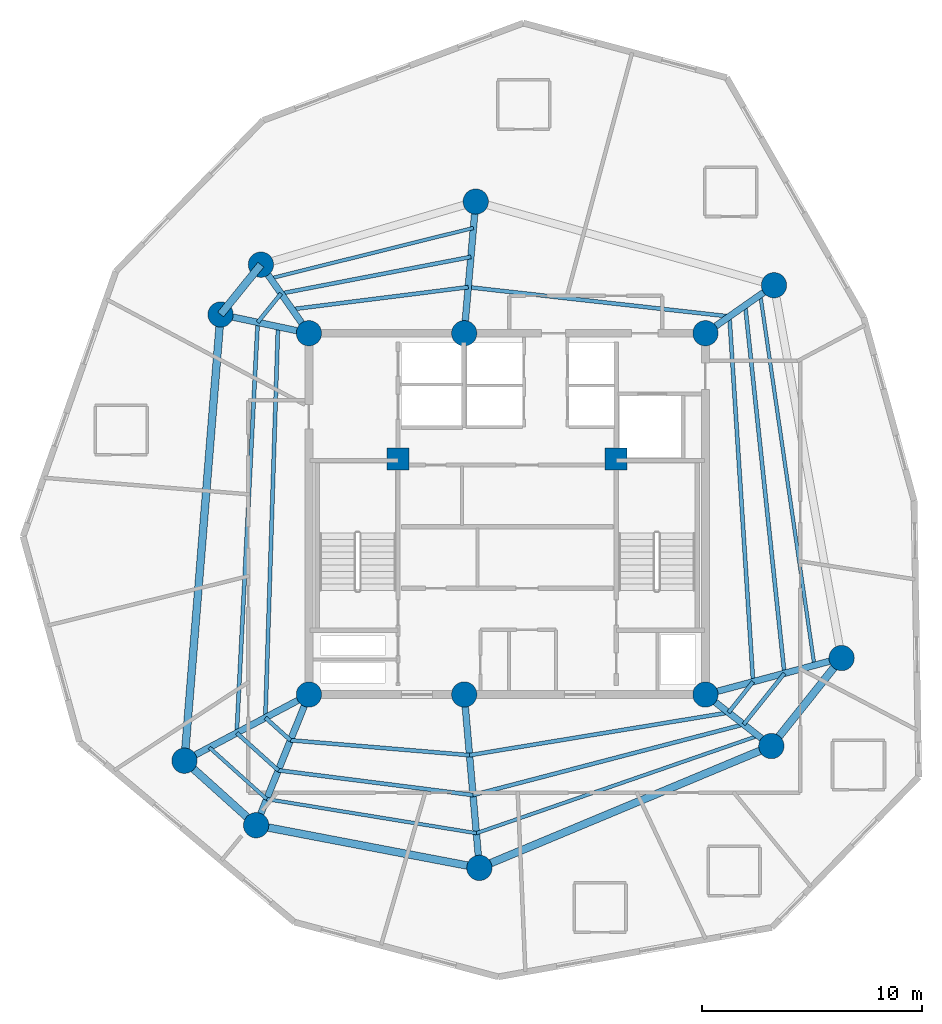
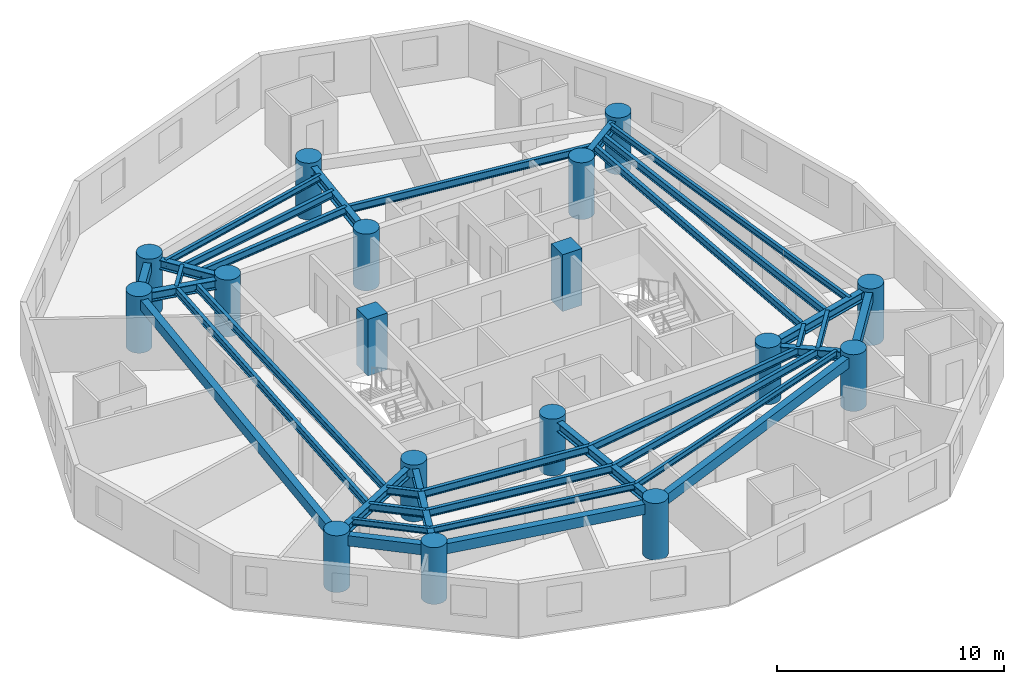
# One storey, part 1 of 7: 36 beams, 17 columns.
"""IFC4 building model written with IfcOpenShell, lengths in metres."""

from ifc_helpers import new_model, si_unit, direction, frame, origin, origin_with_axes, origin_2d, place, context, subcontext, project, spatial, rectangle, circle, i_section, extrude, source, transform, mapped, material, material_profile, profile_set, type_object, element, save


model = new_model("IFC4")

# Units and contexts
model_context = context("Model", 3, precision=1e-05, world=origin(), true_north=direction((0.0, 1.0)))
body_context = subcontext(model_context, "Body", "Model", "MODEL_VIEW")
ifc_project = project(units=[si_unit("LENGTHUNIT", "METRE"), si_unit("AREAUNIT", "SQUARE_METRE"), si_unit("VOLUMEUNIT", "CUBIC_METRE"), si_unit("PLANEANGLEUNIT", "RADIAN"), si_unit("MASSUNIT", "GRAM", prefix="KILO")], contexts=[model_context])

# Site, building, storey
site_placement = place(None, origin())
site = spatial("IfcSite", under=ifc_project, at=site_placement, CompositionType="ELEMENT")
building_placement = place(site_placement, origin())
building = spatial("IfcBuilding", under=site, at=building_placement, Name="Karkom Vertical University and Central Library", CompositionType="ELEMENT")
storey_placement = place(building_placement, frame((0.0, 0.0, 226.050048828125)))
storey = spatial("IfcBuildingStorey", under=building, at=storey_placement, Name="L66", CompositionType="ELEMENT", Elevation=226.050048828125)

# Columns
ifc_material_1 = material(Name="Concrete C50/60", Category="concrete")
ifc_material_profile_1 = material_profile(ifc_material_1, rectangle(XDim=1.0, YDim=1.0, at=origin_2d()), Name="RC-1000x1000")
ifc_profile_set_1 = profile_set([ifc_material_profile_1], Name="Concrete C50/60")
column_type_1 = type_object("IfcColumnType", Name="STR-COL-C-CC2", PredefinedType="COLUMN", material=ifc_profile_set_1)
shared_shape_1 = source(origin_with_axes(), body_context, "Body", "SweptSolid", [
    extrude(rectangle(XDim=1.0, YDim=1.0, at=origin_2d()), origin(), (0.0, 0.0, 1.0), 3.050048828125),
])
for number, where, z_axis, x_axis, name in (
    (1, (23.550048828125, 29.0, 0.0), (0.0, 0.0, 1.0), (1.0, 0.0, 0.0), "Level 66 Core Node Column CC-1"),
    (2, (33.449951171875, 29.0, 0.0), (0.0, 0.0, 1.0), (1.0, 0.0, 0.0), "Level 66 Core Node Column CC-2"),
):
    element("IfcColumn", number, at=place(storey_placement, frame(where, z_axis=z_axis, x_axis=x_axis)), inside=storey, type_object=column_type_1, Name=name, PredefinedType="COLUMN", context=body_context, shape_type="MappedRepresentation", body=[
        mapped(shared_shape_1, transform((0.0, 0.0, 0.0), scale=1.0)),
    ])
ifc_material_2 = material(Name="Concrete C45/55", Category="concrete")
ifc_material_profile_2 = material_profile(ifc_material_2, circle(Radius=0.574951171875, at=origin_2d()), Name="CFT-D1150")
ifc_profile_set_2 = profile_set([ifc_material_profile_2], Name="Concrete C45/55")
column_type_2 = type_object("IfcColumnType", Name="STR-COL-C-SC5", PredefinedType="COLUMN", material=ifc_profile_set_2)
shared_shape_2 = source(origin_with_axes(), body_context, "Body", "SweptSolid", [
    extrude(circle(Radius=0.574951171875, at=origin_2d()), origin(), (0.0, 0.0, 1.0), 3.050048828125),
])
for number, where, z_axis, x_axis, name in (
    (3, (19.5, 18.300048828125, 0.0), (0.0, 0.0, 1.0), (1.0, 0.0, 0.0), "Level 66 Spine Mega-Column SC-1"),
    (4, (26.550048828125, 18.300048828125, 0.0), (0.0, 0.0, 1.0), (1.0, 0.0, 0.0), "Level 66 Spine Mega-Column SC-2"),
    (5, (37.5, 18.300048828125, 0.0), (0.0, 0.0, 1.0), (1.0, 0.0, 0.0), "Level 66 Spine Mega-Column SC-3"),
    (6, (19.5, 34.699951171875, 0.0), (0.0, 0.0, 1.0), (1.0, 0.0, 0.0), "Level 66 Spine Mega-Column SC-4"),
    (7, (26.550048828125, 34.699951171875, 0.0), (0.0, 0.0, 1.0), (1.0, 0.0, 0.0), "Level 66 Spine Mega-Column SC-5"),
    (8, (37.5, 34.699951171875, 0.0), (0.0, 0.0, 1.0), (1.0, 0.0, 0.0), "Level 66 Spine Mega-Column SC-6"),
    (9, (43.681884765625, 19.9560546875, 0.0), (0.0, 0.0, 1.0), (1.0, 0.0, 0.0), "Level 66 Perimeter Mega-Column Z4-PC1"),
    (10, (40.613037109375, 36.8798828125, 0.0), (0.0, 0.0, 1.0), (1.0, 0.0, 0.0), "Level 66 Perimeter Mega-Column Z4-PC2"),
    (11, (27.072998046875, 40.677001953125, 0.0), (0.0, 0.0, 1.0), (1.0, 0.0, 0.0), "Level 66 Perimeter Mega-Column Z4-PC3"),
    (12, (17.320068359375, 37.81298828125, 0.0), (0.0, 0.0, 1.0), (1.0, 0.0, 0.0), "Level 66 Perimeter Mega-Column Z4-PC4"),
    (13, (15.489990234375, 35.552001953125, 0.0), (0.0, 0.0, 1.0), (1.0, 0.0, 0.0), "Level 66 Perimeter Mega-Column Z4-PC5"),
    (14, (13.84912109375, 15.294921875, 0.0), (0.0, 0.0, 1.0), (1.0, 0.0, 0.0), "Level 66 Perimeter Mega-Column Z4-PC6"),
    (15, (17.10302734375, 12.365966796875, 0.0), (0.0, 0.0, 1.0), (1.0, 0.0, 0.0), "Level 66 Perimeter Mega-Column Z4-PC7"),
    (16, (27.239013671875, 10.429931640625, 0.0), (0.0, 0.0, 1.0), (1.0, 0.0, 0.0), "Level 66 Perimeter Mega-Column Z4-PC8"),
    (17, (40.493896484375, 15.9599609375, 0.0), (0.0, 0.0, 1.0), (1.0, 0.0, 0.0), "Level 66 Perimeter Mega-Column Z4-PC9"),
):
    element("IfcColumn", number, at=place(storey_placement, frame(where, z_axis=z_axis, x_axis=x_axis)), inside=storey, type_object=column_type_2, Name=name, PredefinedType="COLUMN", context=body_context, shape_type="MappedRepresentation", body=[
        mapped(shared_shape_2, transform((0.0, 0.0, 0.0), scale=1.0)),
    ])

# Beams
ifc_material_3 = material(Name="Precast concrete C45/55", Category="concrete")
ifc_material_profile_3 = material_profile(ifc_material_3, rectangle(XDim=0.35009765625, YDim=0.550048828125, at=origin_2d()), Name="SPB-350x550")
ifc_profile_set_3 = profile_set([ifc_material_profile_3], Name="Precast concrete C45/55")
beam_type_1 = type_object("IfcBeamType", Name="STR-BM-SP-2", PredefinedType="SPANDREL", material=ifc_profile_set_3)
shared_shape_3 = source(origin_with_axes(), body_context, "Body", "SweptSolid", [
    extrude(rectangle(XDim=0.35009765625, YDim=0.550048828125, at=origin_2d()), origin(), (0.0, 0.0, 1.0), 2.908935546875),
])
beam_1_placement = place(storey_placement, frame((17.320068359375, 37.81298828125, 2.574951171875), z_axis=(-0.629147523747, -0.777285914811, 0.0), x_axis=(0.777285914811, -0.629147523747, 0.0)))
element("IfcBeam", 18, at=beam_1_placement, inside=storey, type_object=beam_type_1, Name="Level 66 Perimeter Spandrel Beam 04", PredefinedType="SPANDREL", context=body_context, shape_type="MappedRepresentation", body=[
    mapped(shared_shape_3, transform((0.0, 0.0, 0.0), scale=1.0)),
])
shared_shape_4 = source(origin_with_axes(), body_context, "Body", "SweptSolid", [
    extrude(rectangle(XDim=0.35009765625, YDim=0.550048828125, at=origin_2d()), origin(), (0.0, 0.0, 1.0), 20.323486328125),
])
beam_2_placement = place(storey_placement, frame((15.489990234375, 35.552001953125, 2.574951171875), z_axis=(-0.080737811681, -0.996735373991, 0.0), x_axis=(0.996735373991, -0.080737811681, 0.0)))
element("IfcBeam", 19, at=beam_2_placement, inside=storey, type_object=beam_type_1, Name="Level 66 Perimeter Spandrel Beam 05", PredefinedType="SPANDREL", context=body_context, shape_type="MappedRepresentation", body=[
    mapped(shared_shape_4, transform((0.0, 0.0, 0.0), scale=1.0)),
])
shared_shape_5 = source(origin_with_axes(), body_context, "Body", "SweptSolid", [
    extrude(rectangle(XDim=0.35009765625, YDim=0.550048828125, at=origin_2d()), origin(), (0.0, 0.0, 1.0), 4.3779296875),
])
beam_3_placement = place(storey_placement, frame((13.84912109375, 15.294921875, 2.574951171875), z_axis=(0.743244232405, -0.669020187287, 0.0), x_axis=(0.669020187287, 0.743244232405, 0.0)))
element("IfcBeam", 20, at=beam_3_placement, inside=storey, type_object=beam_type_1, Name="Level 66 Perimeter Spandrel Beam 06", PredefinedType="SPANDREL", context=body_context, shape_type="MappedRepresentation", body=[
    mapped(shared_shape_5, transform((0.0, 0.0, 0.0), scale=1.0)),
])
shared_shape_6 = source(origin_with_axes(), body_context, "Body", "SweptSolid", [
    extrude(rectangle(XDim=0.35009765625, YDim=0.550048828125, at=origin_2d()), origin(), (0.0, 0.0, 1.0), 10.3193359375),
])
beam_4_placement = place(storey_placement, frame((17.10302734375, 12.365966796875, 2.574951171875), z_axis=(0.982242767385, -0.187614354249, 0.0), x_axis=(0.187614354249, 0.982242767385, 0.0)))
element("IfcBeam", 21, at=beam_4_placement, inside=storey, type_object=beam_type_1, Name="Level 66 Perimeter Spandrel Beam 07", PredefinedType="SPANDREL", context=body_context, shape_type="MappedRepresentation", body=[
    mapped(shared_shape_6, transform((0.0, 0.0, 0.0), scale=1.0)),
])
shared_shape_7 = source(origin_with_axes(), body_context, "Body", "SweptSolid", [
    extrude(rectangle(XDim=0.35009765625, YDim=0.550048828125, at=origin_2d()), origin(), (0.0, 0.0, 1.0), 14.3623046875),
])
beam_5_placement = place(storey_placement, frame((27.239013671875, 10.429931640625, 2.574951171875), z_axis=(0.922899796194, 0.385040213725, 0.0), x_axis=(-0.385040213725, 0.922899796194, 0.0)))
element("IfcBeam", 22, at=beam_5_placement, inside=storey, type_object=beam_type_1, Name="Level 66 Perimeter Spandrel Beam 08", PredefinedType="SPANDREL", context=body_context, shape_type="MappedRepresentation", body=[
    mapped(shared_shape_7, transform((0.0, 0.0, 0.0), scale=1.0)),
])
shared_shape_8 = source(origin_with_axes(), body_context, "Body", "SweptSolid", [
    extrude(rectangle(XDim=0.35009765625, YDim=0.550048828125, at=origin_2d()), origin(), (0.0, 0.0, 1.0), 5.112060546875),
])
beam_6_placement = place(storey_placement, frame((40.493896484375, 15.9599609375, 2.574951171875), z_axis=(0.623634459503, 0.78171609995, 0.0), x_axis=(-0.78171609995, 0.623634459503, 0.0)))
element("IfcBeam", 23, at=beam_6_placement, inside=storey, type_object=beam_type_1, Name="Level 66 Perimeter Spandrel Beam 09", PredefinedType="SPANDREL", context=body_context, shape_type="MappedRepresentation", body=[
    mapped(shared_shape_8, transform((0.0, 0.0, 0.0), scale=1.0)),
])
ifc_material_4 = material(Name="Steel S355", Category="steel")
ifc_material_profile_4 = material_profile(ifc_material_4, i_section(OverallWidth=0.179931640625, OverallDepth=0.39990234375, WebThickness=0.008544921875, FlangeThickness=0.013427734375, FilletRadius=0.02099609375, at=origin_2d()), Name="IPE 400")
ifc_profile_set_4 = profile_set([ifc_material_profile_4], Name="Steel S355")
beam_type_2 = type_object("IfcBeamType", Name="STR-BM-SB-IPE400", PredefinedType="BEAM", material=ifc_profile_set_4)
shared_shape_9 = source(origin_with_axes(), body_context, "Body", "SweptSolid", [
    extrude(i_section(OverallWidth=0.179931640625, OverallDepth=0.39990234375, WebThickness=0.008544921875, FlangeThickness=0.013427734375, FilletRadius=0.02099609375, at=origin_2d()), origin(), (0.0, 0.0, 1.0), 16.617919921875),
])
beam_7_placement = place(storey_placement, frame((39.663818359375, 18.879638671875, 2.64990234375), z_axis=(-0.064641848008, 0.997908528617, 0.0), x_axis=(-0.997908528617, -0.064641848008, 0.0)))
element("IfcBeam", 24, at=beam_7_placement, inside=storey, type_object=beam_type_2, Name="Level 66 Secondary Composite Floor Beam 1.01", PredefinedType="BEAM", context=body_context, shape_type="MappedRepresentation", body=[
    mapped(shared_shape_9, transform((0.0, 0.0, 0.0), scale=1.0)),
])
shared_shape_10 = source(origin_with_axes(), body_context, "Body", "SweptSolid", [
    extrude(i_section(OverallWidth=0.179931640625, OverallDepth=0.39990234375, WebThickness=0.008544921875, FlangeThickness=0.013427734375, FilletRadius=0.02099609375, at=origin_2d()), origin(), (0.0, 0.0, 1.0), 11.9306640625),
])
beam_8_placement = place(storey_placement, frame((38.589599609375, 35.462890625, 2.64990234375), z_axis=(-0.993775454886, 0.11140172919, 0.0), x_axis=(-0.11140172919, -0.993775454886, 0.0)))
element("IfcBeam", 25, at=beam_8_placement, inside=storey, type_object=beam_type_2, Name="Level 66 Secondary Composite Floor Beam 1.02", PredefinedType="BEAM", context=body_context, shape_type="MappedRepresentation", body=[
    mapped(shared_shape_10, transform((0.0, 0.0, 0.0), scale=1.0)),
])
shared_shape_11 = source(origin_with_axes(), body_context, "Body", "SweptSolid", [
    extrude(i_section(OverallWidth=0.179931640625, OverallDepth=0.39990234375, WebThickness=0.008544921875, FlangeThickness=0.013427734375, FilletRadius=0.02099609375, at=origin_2d()), origin(), (0.0, 0.0, 1.0), 8.05859375),
])
beam_9_placement = place(storey_placement, frame((26.733154296875, 36.7919921875, 2.64990234375), z_axis=(-0.99223306826, -0.124392677646, 0.0), x_axis=(0.124392677646, -0.99223306826, 0.0)))
element("IfcBeam", 26, at=beam_9_placement, inside=storey, type_object=beam_type_2, Name="Level 66 Secondary Composite Floor Beam 1.03", PredefinedType="BEAM", context=body_context, shape_type="MappedRepresentation", body=[
    mapped(shared_shape_11, transform((0.0, 0.0, 0.0), scale=1.0)),
])
shared_shape_12 = source(origin_with_axes(), body_context, "Body", "SweptSolid", [
    extrude(i_section(OverallWidth=0.179931640625, OverallDepth=0.39990234375, WebThickness=0.008544921875, FlangeThickness=0.013427734375, FilletRadius=0.02099609375, at=origin_2d()), origin(), (0.0, 0.0, 1.0), 17.75927734375),
])
beam_10_placement = place(storey_placement, frame((18.096435546875, 34.998291015625, 2.64990234375), z_axis=(-0.032333437334, -0.999477137723, 0.0), x_axis=(0.999477137723, -0.032333437334, 0.0)))
element("IfcBeam", 27, at=beam_10_placement, inside=storey, type_object=beam_type_2, Name="Level 66 Secondary Composite Floor Beam 1.05", PredefinedType="BEAM", context=body_context, shape_type="MappedRepresentation", body=[
    mapped(shared_shape_12, transform((0.0, 0.0, 0.0), scale=1.0)),
])
shared_shape_13 = source(origin_with_axes(), body_context, "Body", "SweptSolid", [
    extrude(i_section(OverallWidth=0.179931640625, OverallDepth=0.39990234375, WebThickness=0.008544921875, FlangeThickness=0.013427734375, FilletRadius=0.02099609375, at=origin_2d()), origin(), (0.0, 0.0, 1.0), 1.5322265625),
])
beam_11_placement = place(storey_placement, frame((17.522216796875, 17.248291015625, 2.64990234375), z_axis=(0.743183211059, -0.669087972392, 0.0), x_axis=(0.669087972392, 0.743183211059, 0.0)))
element("IfcBeam", 28, at=beam_11_placement, inside=storey, type_object=beam_type_2, Name="Level 66 Secondary Composite Floor Beam 1.06", PredefinedType="BEAM", context=body_context, shape_type="MappedRepresentation", body=[
    mapped(shared_shape_13, transform((0.0, 0.0, 0.0), scale=1.0)),
])
shared_shape_14 = source(origin_with_axes(), body_context, "Body", "SweptSolid", [
    extrude(i_section(OverallWidth=0.179931640625, OverallDepth=0.39990234375, WebThickness=0.008544921875, FlangeThickness=0.013427734375, FilletRadius=0.02099609375, at=origin_2d()), origin(), (0.0, 0.0, 1.0), 8.15869140625),
])
beam_12_placement = place(storey_placement, frame((18.660888671875, 16.22314453125, 2.64990234375), z_axis=(0.996543694183, -0.083070244882, 0.0), x_axis=(0.083070244882, 0.996543694183, 0.0)))
element("IfcBeam", 29, at=beam_12_placement, inside=storey, type_object=beam_type_2, Name="Level 66 Secondary Composite Floor Beam 1.07", PredefinedType="BEAM", context=body_context, shape_type="MappedRepresentation", body=[
    mapped(shared_shape_14, transform((0.0, 0.0, 0.0), scale=1.0)),
])
shared_shape_15 = source(origin_with_axes(), body_context, "Body", "SweptSolid", [
    extrude(i_section(OverallWidth=0.179931640625, OverallDepth=0.39990234375, WebThickness=0.008544921875, FlangeThickness=0.013427734375, FilletRadius=0.02099609375, at=origin_2d()), origin(), (0.0, 0.0, 1.0), 11.914794921875),
])
beam_13_placement = place(storey_placement, frame((26.791259765625, 15.54541015625, 2.64990234375), z_axis=(0.986717073469, 0.162448197663, 0.0), x_axis=(-0.162448197663, 0.986717073469, 0.0)))
element("IfcBeam", 30, at=beam_13_placement, inside=storey, type_object=beam_type_2, Name="Level 66 Secondary Composite Floor Beam 1.08", PredefinedType="BEAM", context=body_context, shape_type="MappedRepresentation", body=[
    mapped(shared_shape_15, transform((0.0, 0.0, 0.0), scale=1.0)),
])
shared_shape_16 = source(origin_with_axes(), body_context, "Body", "SweptSolid", [
    extrude(i_section(OverallWidth=0.179931640625, OverallDepth=0.39990234375, WebThickness=0.008544921875, FlangeThickness=0.013427734375, FilletRadius=0.02099609375, at=origin_2d()), origin(), (0.0, 0.0, 1.0), 1.789306640625),
])
beam_14_placement = place(storey_placement, frame((38.5478515625, 17.48095703125, 2.64990234375), z_axis=(0.623679519349, 0.781680150154, 0.0), x_axis=(-0.781680150154, 0.623679519349, 0.0)))
element("IfcBeam", 31, at=beam_14_placement, inside=storey, type_object=beam_type_2, Name="Level 66 Secondary Composite Floor Beam 1.09", PredefinedType="BEAM", context=body_context, shape_type="MappedRepresentation", body=[
    mapped(shared_shape_16, transform((0.0, 0.0, 0.0), scale=1.0)),
])
shared_shape_17 = source(origin_with_axes(), body_context, "Body", "SweptSolid", [
    extrude(i_section(OverallWidth=0.179931640625, OverallDepth=0.39990234375, WebThickness=0.008544921875, FlangeThickness=0.013427734375, FilletRadius=0.02099609375, at=origin_2d()), origin(), (0.0, 0.0, 1.0), 16.79833984375),
])
beam_15_placement = place(storey_placement, frame((41.085693359375, 19.260498046875, 2.64990234375), z_axis=(-0.105978377704, 0.994368434464, 0.0), x_axis=(-0.994368434464, -0.105978377704, 0.0)))
element("IfcBeam", 32, at=beam_15_placement, inside=storey, type_object=beam_type_2, Name="Level 66 Secondary Composite Floor Beam 2.01", PredefinedType="BEAM", context=body_context, shape_type="MappedRepresentation", body=[
    mapped(shared_shape_17, transform((0.0, 0.0, 0.0), scale=1.0)),
])
shared_shape_18 = source(origin_with_axes(), body_context, "Body", "SweptSolid", [
    extrude(i_section(OverallWidth=0.179931640625, OverallDepth=0.39990234375, WebThickness=0.008544921875, FlangeThickness=0.013427734375, FilletRadius=0.02099609375, at=origin_2d()), origin(), (0.0, 0.0, 1.0), 8.7763671875),
])
beam_16_placement = place(storey_placement, frame((26.853271484375, 38.166748046875, 2.64990234375), z_axis=(-0.981924209256, -0.189274528862, 0.0), x_axis=(0.189274528862, -0.981924209256, 0.0)))
element("IfcBeam", 33, at=beam_16_placement, inside=storey, type_object=beam_type_2, Name="Level 66 Secondary Composite Floor Beam 2.03", PredefinedType="BEAM", context=body_context, shape_type="MappedRepresentation", body=[
    mapped(shared_shape_18, transform((0.0, 0.0, 0.0), scale=1.0)),
])
shared_shape_19 = source(origin_with_axes(), body_context, "Body", "SweptSolid", [
    extrude(i_section(OverallWidth=0.179931640625, OverallDepth=0.39990234375, WebThickness=0.008544921875, FlangeThickness=0.013427734375, FilletRadius=0.02099609375, at=origin_2d()), origin(), (0.0, 0.0, 1.0), 1.68701171875),
])
beam_17_placement = place(storey_placement, frame((18.235595703125, 36.505615234375, 2.64990234375), z_axis=(-0.629044191861, -0.777369541908, 0.0), x_axis=(0.777369541908, -0.629044191861, 0.0)))
element("IfcBeam", 34, at=beam_17_placement, inside=storey, type_object=beam_type_2, Name="Level 66 Secondary Composite Floor Beam 2.04", PredefinedType="BEAM", context=body_context, shape_type="MappedRepresentation", body=[
    mapped(shared_shape_19, transform((0.0, 0.0, 0.0), scale=1.0)),
])
shared_shape_20 = source(origin_with_axes(), body_context, "Body", "SweptSolid", [
    extrude(i_section(OverallWidth=0.179931640625, OverallDepth=0.39990234375, WebThickness=0.008544921875, FlangeThickness=0.013427734375, FilletRadius=0.02099609375, at=origin_2d()), origin(), (0.0, 0.0, 1.0), 18.661376953125),
])
beam_18_placement = place(storey_placement, frame((17.17431640625, 35.194091796875, 2.64990234375), z_axis=(-0.051009656211, -0.998698160093, 0.0), x_axis=(0.998698160093, -0.051009656211, 0.0)))
element("IfcBeam", 35, at=beam_18_placement, inside=storey, type_object=beam_type_2, Name="Level 66 Secondary Composite Floor Beam 2.05", PredefinedType="BEAM", context=body_context, shape_type="MappedRepresentation", body=[
    mapped(shared_shape_20, transform((0.0, 0.0, 0.0), scale=1.0)),
])
shared_shape_21 = source(origin_with_axes(), body_context, "Body", "SweptSolid", [
    extrude(i_section(OverallWidth=0.179931640625, OverallDepth=0.39990234375, WebThickness=0.008544921875, FlangeThickness=0.013427734375, FilletRadius=0.02099609375, at=origin_2d()), origin(), (0.0, 0.0, 1.0), 2.5390625),
])
beam_19_placement = place(storey_placement, frame((16.222412109375, 16.55712890625, 2.64990234375), z_axis=(0.743246334517, -0.669017851949, 0.0), x_axis=(0.669017851949, 0.743246334517, 0.0)))
element("IfcBeam", 36, at=beam_19_placement, inside=storey, type_object=beam_type_2, Name="Level 66 Secondary Composite Floor Beam 2.06", PredefinedType="BEAM", context=body_context, shape_type="MappedRepresentation", body=[
    mapped(shared_shape_21, transform((0.0, 0.0, 0.0), scale=1.0)),
])
shared_shape_22 = source(origin_with_axes(), body_context, "Body", "SweptSolid", [
    extrude(i_section(OverallWidth=0.179931640625, OverallDepth=0.39990234375, WebThickness=0.008544921875, FlangeThickness=0.013427734375, FilletRadius=0.02099609375, at=origin_2d()), origin(), (0.0, 0.0, 1.0), 8.9111328125),
])
beam_20_placement = place(storey_placement, frame((18.109619140625, 14.8583984375, 2.64990234375), z_axis=(0.992026771403, -0.126027317751, 0.0), x_axis=(0.126027317751, 0.992026771403, 0.0)))
element("IfcBeam", 37, at=beam_20_placement, inside=storey, type_object=beam_type_2, Name="Level 66 Secondary Composite Floor Beam 2.07", PredefinedType="BEAM", context=body_context, shape_type="MappedRepresentation", body=[
    mapped(shared_shape_22, transform((0.0, 0.0, 0.0), scale=1.0)),
])
shared_shape_23 = source(origin_with_axes(), body_context, "Body", "SweptSolid", [
    extrude(i_section(OverallWidth=0.179931640625, OverallDepth=0.39990234375, WebThickness=0.008544921875, FlangeThickness=0.013427734375, FilletRadius=0.02099609375, at=origin_2d()), origin(), (0.0, 0.0, 1.0), 12.69873046875),
])
beam_21_placement = place(storey_placement, frame((26.94970703125, 13.7353515625, 2.64990234375), z_axis=(0.967573974729, 0.252587813301, 0.0), x_axis=(-0.252587813301, 0.967573974729, 0.0)))
element("IfcBeam", 38, at=beam_21_placement, inside=storey, type_object=beam_type_2, Name="Level 66 Secondary Composite Floor Beam 2.08", PredefinedType="BEAM", context=body_context, shape_type="MappedRepresentation", body=[
    mapped(shared_shape_23, transform((0.0, 0.0, 0.0), scale=1.0)),
])
shared_shape_24 = source(origin_with_axes(), body_context, "Body", "SweptSolid", [
    extrude(i_section(OverallWidth=0.179931640625, OverallDepth=0.39990234375, WebThickness=0.008544921875, FlangeThickness=0.013427734375, FilletRadius=0.02099609375, at=origin_2d()), origin(), (0.0, 0.0, 1.0), 2.96484375),
])
beam_22_placement = place(storey_placement, frame((39.236572265625, 16.94287109375, 2.64990234375), z_axis=(0.623670236397, 0.781687556657, 0.0), x_axis=(-0.781687556657, 0.623670236397, 0.0)))
element("IfcBeam", 39, at=beam_22_placement, inside=storey, type_object=beam_type_2, Name="Level 66 Secondary Composite Floor Beam 2.09", PredefinedType="BEAM", context=body_context, shape_type="MappedRepresentation", body=[
    mapped(shared_shape_24, transform((0.0, 0.0, 0.0), scale=1.0)),
])
ifc_material_profile_5 = material_profile(ifc_material_4, i_section(OverallWidth=0.159912109375, OverallDepth=0.330078125, WebThickness=0.007568359375, FlangeThickness=0.011474609375, FilletRadius=0.01806640625, at=origin_2d()), Name="IPE 330")
ifc_profile_set_5 = profile_set([ifc_material_profile_5], Name="Steel S355")
beam_type_3 = type_object("IfcBeamType", Name="STR-BM-SB-IPE330", PredefinedType="BEAM", material=ifc_profile_set_5)
shared_shape_25 = source(origin_with_axes(), body_context, "Body", "SweptSolid", [
    extrude(i_section(OverallWidth=0.159912109375, OverallDepth=0.330078125, WebThickness=0.007568359375, FlangeThickness=0.011474609375, FilletRadius=0.01806640625, at=origin_2d()), origin(), (0.0, 0.0, 1.0), 16.99755859375),
])
beam_23_placement = place(storey_placement, frame((42.445556640625, 19.624755859375, 2.68505859375), z_axis=(-0.144436985275, 0.98951400055, 0.0), x_axis=(-0.98951400055, -0.144436985275, 0.0)))
element("IfcBeam", 40, at=beam_23_placement, inside=storey, type_object=beam_type_3, Name="Level 66 Secondary Composite Floor Beam 3.01", PredefinedType="BEAM", context=body_context, shape_type="MappedRepresentation", body=[
    mapped(shared_shape_25, transform((0.0, 0.0, 0.0), scale=1.0)),
])
shared_shape_26 = source(origin_with_axes(), body_context, "Body", "SweptSolid", [
    extrude(i_section(OverallWidth=0.159912109375, OverallDepth=0.330078125, WebThickness=0.007568359375, FlangeThickness=0.011474609375, FilletRadius=0.01806640625, at=origin_2d()), origin(), (0.0, 0.0, 1.0), 9.4931640625),
])
beam_24_placement = place(storey_placement, frame((26.968505859375, 39.481689453125, 2.68505859375), z_axis=(-0.970435275293, -0.241361505767, 0.0), x_axis=(0.241361505767, -0.970435275293, 0.0)))
element("IfcBeam", 41, at=beam_24_placement, inside=storey, type_object=beam_type_3, Name="Level 66 Secondary Composite Floor Beam 3.03", PredefinedType="BEAM", context=body_context, shape_type="MappedRepresentation", body=[
    mapped(shared_shape_26, transform((0.0, 0.0, 0.0), scale=1.0)),
])
shared_shape_27 = source(origin_with_axes(), body_context, "Body", "SweptSolid", [
    extrude(i_section(OverallWidth=0.159912109375, OverallDepth=0.330078125, WebThickness=0.007568359375, FlangeThickness=0.011474609375, FilletRadius=0.01806640625, at=origin_2d()), origin(), (0.0, 0.0, 1.0), 3.50244140625),
])
beam_25_placement = place(storey_placement, frame((14.979248046875, 15.89599609375, 2.68505859375), z_axis=(0.743249087562, -0.669014793437, 0.0), x_axis=(0.669014793437, 0.743249087562, 0.0)))
element("IfcBeam", 42, at=beam_25_placement, inside=storey, type_object=beam_type_3, Name="Level 66 Secondary Composite Floor Beam 3.06", PredefinedType="BEAM", context=body_context, shape_type="MappedRepresentation", body=[
    mapped(shared_shape_27, transform((0.0, 0.0, 0.0), scale=1.0)),
])
shared_shape_28 = source(origin_with_axes(), body_context, "Body", "SweptSolid", [
    extrude(i_section(OverallWidth=0.159912109375, OverallDepth=0.330078125, WebThickness=0.007568359375, FlangeThickness=0.011474609375, FilletRadius=0.01806640625, at=origin_2d()), origin(), (0.0, 0.0, 1.0), 9.64404296875),
])
beam_26_placement = place(storey_placement, frame((17.58251953125, 13.552734375, 2.68505859375), z_axis=(0.987019497924, -0.160600469231, 0.0), x_axis=(0.160600469231, 0.987019497924, 0.0)))
element("IfcBeam", 43, at=beam_26_placement, inside=storey, type_object=beam_type_3, Name="Level 66 Secondary Composite Floor Beam 3.07", PredefinedType="BEAM", context=body_context, shape_type="MappedRepresentation", body=[
    mapped(shared_shape_28, transform((0.0, 0.0, 0.0), scale=1.0)),
])
shared_shape_29 = source(origin_with_axes(), body_context, "Body", "SweptSolid", [
    extrude(i_section(OverallWidth=0.159912109375, OverallDepth=0.330078125, WebThickness=0.007568359375, FlangeThickness=0.011474609375, FilletRadius=0.01806640625, at=origin_2d()), origin(), (0.0, 0.0, 1.0), 13.537353515625),
])
beam_27_placement = place(storey_placement, frame((27.101318359375, 12.00390625, 2.68505859375), z_axis=(0.945091088216, 0.32680703018, 0.0), x_axis=(-0.32680703018, 0.945091088216, 0.0)))
element("IfcBeam", 44, at=beam_27_placement, inside=storey, type_object=beam_type_3, Name="Level 66 Secondary Composite Floor Beam 3.08", PredefinedType="BEAM", context=body_context, shape_type="MappedRepresentation", body=[
    mapped(shared_shape_29, transform((0.0, 0.0, 0.0), scale=1.0)),
])
ifc_material_profile_6 = material_profile(ifc_material_4, i_section(OverallWidth=0.300048828125, OverallDepth=0.5, WebThickness=0.014404296875, FlangeThickness=0.028076171875, FilletRadius=0.027099609375, at=origin_2d()), Name="HE 500 B")
ifc_profile_set_6 = profile_set([ifc_material_profile_6], Name="Steel S355")
beam_type_4 = type_object("IfcBeamType", Name="STR-BM-SB-HE500", PredefinedType="USERDEFINED", material=ifc_profile_set_6)
shared_shape_30 = source(origin_with_axes(), body_context, "Body", "SweptSolid", [
    extrude(i_section(OverallWidth=0.300048828125, OverallDepth=0.5, WebThickness=0.014404296875, FlangeThickness=0.028076171875, FilletRadius=0.027099609375, at=origin_2d()), origin(), (0.0, 0.0, 1.0), 6.39990234375),
])
for number, where, z_axis, x_axis, name in (
    (45, (37.5, 18.300048828125, 2.599853515625), (0.965942432948, 0.258757060254, 0.0), (-0.258757060254, 0.965942432948, 0.0), "Level 66 Radial Frame Girder 01"),
    (46, (19.5, 18.300048828125, 2.599853515625), (-0.374532429749, -0.927213815183, 0.0), (0.927213815183, -0.374532429749, 0.0), "Level 66 Radial Frame Girder 07"),
):
    element("IfcBeam", number, at=place(storey_placement, frame(where, z_axis=z_axis, x_axis=x_axis)), inside=storey, type_object=beam_type_4, Name=name, ObjectType="GIRDER", PredefinedType="USERDEFINED", context=body_context, shape_type="MappedRepresentation", body=[
        mapped(shared_shape_30, transform((0.0, 0.0, 0.0), scale=1.0)),
    ])
shared_shape_31 = source(origin_with_axes(), body_context, "Body", "SweptSolid", [
    extrude(i_section(OverallWidth=0.300048828125, OverallDepth=0.5, WebThickness=0.014404296875, FlangeThickness=0.028076171875, FilletRadius=0.027099609375, at=origin_2d()), origin(), (0.0, 0.0, 1.0), 3.80029296875),
])
for number, where, z_axis, x_axis, name in (
    (47, (37.5, 34.699951171875, 2.599853515625), (0.819132313625, 0.573604613627, 0.0), (-0.573604613627, 0.819132313625, 0.0), "Level 66 Radial Frame Girder 02"),
    (48, (19.5, 34.699951171875, 2.599853515625), (-0.573604613627, 0.819132313625, 0.0), (-0.819132313625, -0.573604613627, 0.0), "Level 66 Radial Frame Girder 04"),
):
    element("IfcBeam", number, at=place(storey_placement, frame(where, z_axis=z_axis, x_axis=x_axis)), inside=storey, type_object=beam_type_4, Name=name, ObjectType="GIRDER", PredefinedType="USERDEFINED", context=body_context, shape_type="MappedRepresentation", body=[
        mapped(shared_shape_31, transform((0.0, 0.0, 0.0), scale=1.0)),
    ])
shared_shape_32 = source(origin_with_axes(), body_context, "Body", "SweptSolid", [
    extrude(i_section(OverallWidth=0.300048828125, OverallDepth=0.5, WebThickness=0.014404296875, FlangeThickness=0.028076171875, FilletRadius=0.027099609375, at=origin_2d()), origin(), (0.0, 0.0, 1.0), 6.0),
])
beam_28_placement = place(storey_placement, frame((26.550048828125, 34.699951171875, 2.599853515625), z_axis=(0.087159883478, 0.996194335816, 0.0), x_axis=(-0.996194335816, 0.087159883478, 0.0)))
element("IfcBeam", 49, at=beam_28_placement, inside=storey, type_object=beam_type_4, Name="Level 66 Radial Frame Girder 03", ObjectType="GIRDER", PredefinedType="USERDEFINED", context=body_context, shape_type="MappedRepresentation", body=[
    mapped(shared_shape_32, transform((0.0, 0.0, 0.0), scale=1.0)),
])
shared_shape_33 = source(origin_with_axes(), body_context, "Body", "SweptSolid", [
    extrude(i_section(OverallWidth=0.300048828125, OverallDepth=0.5, WebThickness=0.014404296875, FlangeThickness=0.028076171875, FilletRadius=0.027099609375, at=origin_2d()), origin(), (0.0, 0.0, 1.0), 4.099609375),
])
beam_29_placement = place(storey_placement, frame((19.5, 34.699951171875, 2.599853515625), z_axis=(-0.978162634602, 0.207840949453, 0.0), x_axis=(-0.207840949453, -0.978162634602, 0.0)))
element("IfcBeam", 50, at=beam_29_placement, inside=storey, type_object=beam_type_4, Name="Level 66 Radial Frame Girder 05", ObjectType="GIRDER", PredefinedType="USERDEFINED", context=body_context, shape_type="MappedRepresentation", body=[
    mapped(shared_shape_33, transform((0.0, 0.0, 0.0), scale=1.0)),
])
shared_shape_34 = source(origin_with_axes(), body_context, "Body", "SweptSolid", [
    extrude(i_section(OverallWidth=0.300048828125, OverallDepth=0.5, WebThickness=0.014404296875, FlangeThickness=0.028076171875, FilletRadius=0.027099609375, at=origin_2d()), origin(), (0.0, 0.0, 1.0), 6.400146484375),
])
beam_30_placement = place(storey_placement, frame((19.5, 18.300048828125, 2.599853515625), z_axis=(-0.882915120857, -0.469532628645, 0.0), x_axis=(0.469532628645, -0.882915120857, 0.0)))
element("IfcBeam", 51, at=beam_30_placement, inside=storey, type_object=beam_type_4, Name="Level 66 Radial Frame Girder 06", ObjectType="GIRDER", PredefinedType="USERDEFINED", context=body_context, shape_type="MappedRepresentation", body=[
    mapped(shared_shape_34, transform((0.0, 0.0, 0.0), scale=1.0)),
])
shared_shape_35 = source(origin_with_axes(), body_context, "Body", "SweptSolid", [
    extrude(i_section(OverallWidth=0.300048828125, OverallDepth=0.5, WebThickness=0.014404296875, FlangeThickness=0.028076171875, FilletRadius=0.027099609375, at=origin_2d()), origin(), (0.0, 0.0, 1.0), 7.900146484375),
])
beam_31_placement = place(storey_placement, frame((26.550048828125, 18.300048828125, 2.599853515625), z_axis=(0.087208352312, -0.996190093951, 0.0), x_axis=(0.996190093951, 0.087208352312, 0.0)))
element("IfcBeam", 52, at=beam_31_placement, inside=storey, type_object=beam_type_4, Name="Level 66 Radial Frame Girder 08", ObjectType="GIRDER", PredefinedType="USERDEFINED", context=body_context, shape_type="MappedRepresentation", body=[
    mapped(shared_shape_35, transform((0.0, 0.0, 0.0), scale=1.0)),
])
shared_shape_36 = source(origin_with_axes(), body_context, "Body", "SweptSolid", [
    extrude(i_section(OverallWidth=0.300048828125, OverallDepth=0.5, WebThickness=0.014404296875, FlangeThickness=0.028076171875, FilletRadius=0.027099609375, at=origin_2d()), origin(), (0.0, 0.0, 1.0), 3.7998046875),
])
beam_32_placement = place(storey_placement, frame((37.5, 18.300048828125, 2.599853515625), z_axis=(0.787883114707, -0.61582481077, 0.0), x_axis=(0.61582481077, 0.787883114707, 0.0)))
element("IfcBeam", 53, at=beam_32_placement, inside=storey, type_object=beam_type_4, Name="Level 66 Radial Frame Girder 09", ObjectType="GIRDER", PredefinedType="USERDEFINED", context=body_context, shape_type="MappedRepresentation", body=[
    mapped(shared_shape_36, transform((0.0, 0.0, 0.0), scale=1.0)),
])

save(model, "model.ifc")
